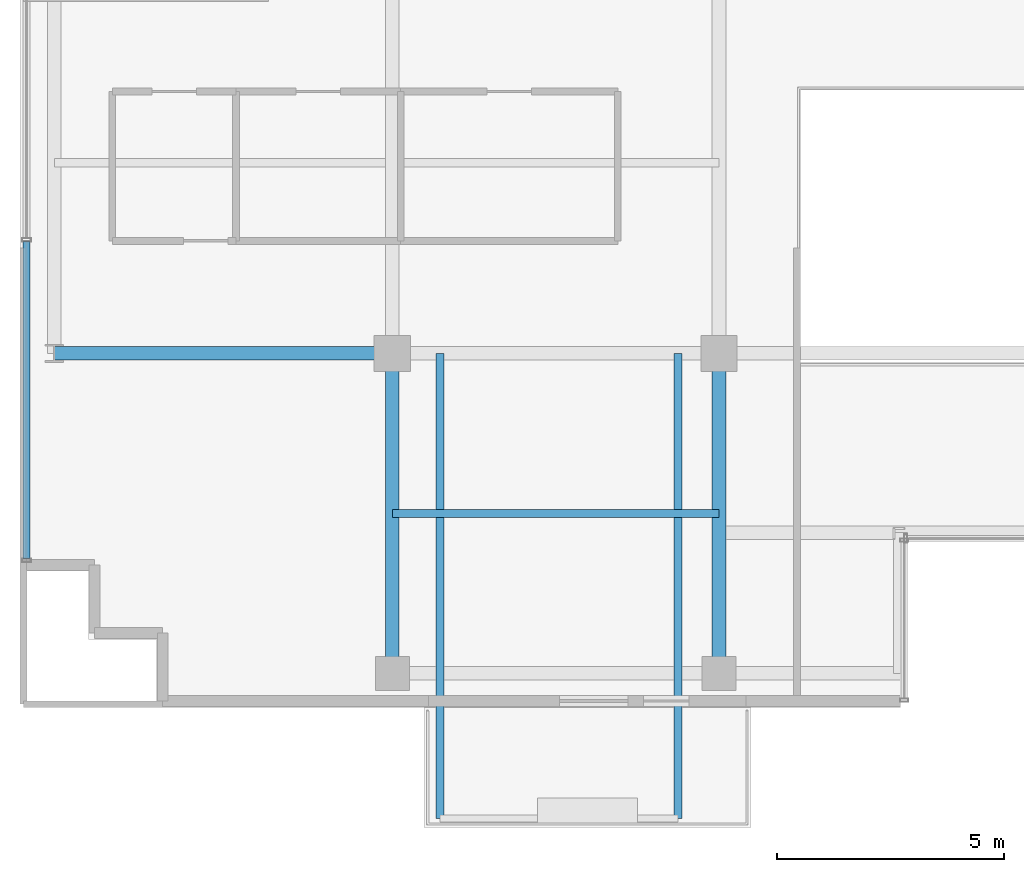
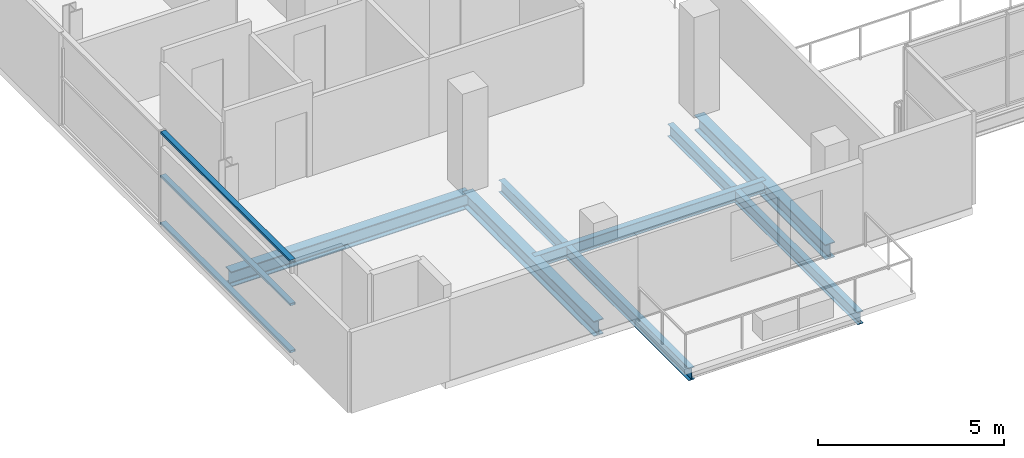
# One storey, part 3 of 21: 6 beams, 3 members, 1 element without a shape of its own.
"""IFC4 building model written with IfcOpenShell, lengths in metres."""

from ifc_helpers import new_model, si_unit, direction, frame, origin, origin_2d, place, context, subcontext, project, spatial, hollow_rectangle, i_section, extrude, source, transform, mapped, material, layer, layer_set, material_profile, profile_set, type_object, element, aggregate, save


model = new_model("IFC4")

# Units and contexts
model_context = context("Model", 3, precision=1e-05, world=origin(), true_north=direction((0.0, 1.0)))
body_context = subcontext(model_context, "Body", "Model", "MODEL_VIEW")
ifc_project = project(units=[si_unit("LENGTHUNIT", "METRE"), si_unit("AREAUNIT", "SQUARE_METRE"), si_unit("VOLUMEUNIT", "CUBIC_METRE"), si_unit("PLANEANGLEUNIT", "RADIAN"), si_unit("MASSUNIT", "GRAM", prefix="KILO")], contexts=[model_context])

# Site, building, storey
site_placement = place(None, origin())
site = spatial("IfcSite", under=ifc_project, at=site_placement, CompositionType="ELEMENT")
building_placement = place(site_placement, origin())
building = spatial("IfcBuilding", under=site, at=building_placement, Name="Zarnakvel Exchange Tower", CompositionType="ELEMENT")
storey_placement = place(building_placement, frame((0.0, 0.0, 189.10009765625)))
storey = spatial("IfcBuildingStorey", under=building, at=storey_placement, Name="L53", CompositionType="ELEMENT", Elevation=189.10009765625)

# Beams
ifc_material_1 = material(Name="Steel S355", Category="steel")
ifc_material_profile_1 = material_profile(ifc_material_1, i_section(OverallWidth=0.179931640625, OverallDepth=0.39990234375, WebThickness=0.008544921875, FlangeThickness=0.013427734375, FilletRadius=0.02099609375, at=origin_2d()))
ifc_profile_set_1 = profile_set([ifc_material_profile_1], Name="Steel S355")
beam_type_1 = type_object("IfcBeamType", Name="B-06", PredefinedType="JOIST", material=ifc_profile_set_1)
beam_1_placement = place(storey_placement, frame((-14.39990234375, -13.125, -0.425048828125), z_axis=(1.0, 0.0, 0.0), x_axis=(0.0, 1.0, 0.0)))
element("IfcBeam", 1, at=beam_1_placement, inside=storey, type_object=beam_type_1, Name="L53 Composite Floor Secondary Joist", PredefinedType="JOIST", context=body_context, shape_type="SweptSolid", body=[
    extrude(i_section(OverallWidth=0.179931640625, OverallDepth=0.39990234375, WebThickness=0.008544921875, FlangeThickness=0.013427734375, FilletRadius=0.02099609375, at=origin_2d()), origin(), (0.0, 0.0, 1.0), 7.199951171875),
])
for number, where, z_axis, x_axis, name in (
    (2, (-13.35009765625, -9.60009765625, -0.425048828125), (0.0, -1.0, 0.0), (1.0, 0.0, 0.0), "L53 Continuous Back-Spanned Balcony Beam W"),
    (3, (-8.10009765625, -9.60009765625, -0.425048828125), (0.0, -1.0, 0.0), (1.0, 0.0, 0.0), "L53 Continuous Back-Spanned Balcony Beam E"),
):
    element("IfcBeam", number, at=place(storey_placement, frame(where, z_axis=z_axis, x_axis=x_axis)), inside=storey, type_object=beam_type_1, Name=name, PredefinedType="JOIST", context=body_context, shape_type="SweptSolid", body=[
        extrude(i_section(OverallWidth=0.179931640625, OverallDepth=0.39990234375, WebThickness=0.008544921875, FlangeThickness=0.013427734375, FilletRadius=0.02099609375, at=origin_2d()), origin(), (0.0, 0.0, 1.0), 10.25),
    ])
ifc_material_profile_2 = material_profile(ifc_material_1, i_section(OverallWidth=0.300048828125, OverallDepth=0.5, WebThickness=0.014404296875, FlangeThickness=0.028076171875, FilletRadius=0.027099609375, at=origin_2d()))
ifc_profile_set_2 = profile_set([ifc_material_profile_2], Name="Steel S355")
beam_type_2 = type_object("IfcBeamType", Name="G-06", PredefinedType="BEAM", material=ifc_profile_set_2)
beam_2_placement = place(storey_placement, frame((-21.85009765625, -9.60009765625, -0.47509765625), z_axis=(1.0, 0.0, 0.0), x_axis=(0.0, 1.0, 0.0)))
element("IfcBeam", 4, at=beam_2_placement, inside=storey, type_object=beam_type_2, Name="L53 Tower E-W Frame Beam", PredefinedType="BEAM", context=body_context, shape_type="SweptSolid", body=[
    extrude(i_section(OverallWidth=0.300048828125, OverallDepth=0.5, WebThickness=0.014404296875, FlangeThickness=0.028076171875, FilletRadius=0.027099609375, at=origin_2d()), origin(), (0.0, 0.0, 1.0), 7.4501953125),
])
for number, where, z_axis, x_axis, name in (
    (5, (-14.39990234375, -16.64990234375, -0.47509765625), (0.0, 1.0, 0.0), (-1.0, 0.0, 0.0), "L53 Tower N-S Frame Beam"),
    (6, (-7.199951171875, -16.64990234375, -0.47509765625), (0.0, 1.0, 0.0), (-1.0, 0.0, 0.0), "L53 Tower N-S Frame Beam"),
):
    element("IfcBeam", number, at=place(storey_placement, frame(where, z_axis=z_axis, x_axis=x_axis)), inside=storey, type_object=beam_type_2, Name=name, PredefinedType="BEAM", context=body_context, shape_type="SweptSolid", body=[
        extrude(i_section(OverallWidth=0.300048828125, OverallDepth=0.5, WebThickness=0.014404296875, FlangeThickness=0.028076171875, FilletRadius=0.027099609375, at=origin_2d()), origin(), (0.0, 0.0, 1.0), 7.0498046875),
    ])

# Curtain wall, members
ifc_material_2 = material(Name="Architectural Bronze Anodised Aluminium", Category="aluminium")
ifc_layer = layer(ifc_material_2, 0.199951171875)
ifc_layer_set = layer_set([ifc_layer], Name="Architectural Bronze Anodised Aluminium")
curtain_wall_type = type_object("IfcCurtainWallType", Name="CW-04", PredefinedType="NOTDEFINED", material=ifc_layer_set)
curtain_wall_placement = place(storey_placement, origin())
curtain_wall = element("IfcCurtainWall", 7, at=curtain_wall_placement, inside=storey, type_object=curtain_wall_type, Name="L53 Curtain Wall CW-L53-W1 (CW-04)", PredefinedType="NOTDEFINED")
ifc_material_profile_3 = material_profile(ifc_material_2, hollow_rectangle(XDim=0.159912109375, YDim=0.074951171875, WallThickness=0.00390625, at=origin_2d()))
ifc_profile_set_3 = profile_set([ifc_material_profile_3], Name="Architectural Bronze Anodised Aluminium")
member_type = type_object("IfcMemberType", Name="CWT-04", PredefinedType="USERDEFINED", material=ifc_profile_set_3)
shared_shape = source(origin(), body_context, "Body", "SweptSolid", [
    extrude(hollow_rectangle(XDim=0.159912109375, YDim=0.074951171875, WallThickness=0.00390625, at=origin_2d()), origin(), (0.0, 0.0, 1.0), 6.987548828125),
])
member_1_placement = place(storey_placement, frame((-22.4599609375, -14.125, 0.037353515625), z_axis=(0.0, 1.0, 0.0), x_axis=(-1.0, 0.0, 0.0)))
member_1 = element("IfcMember", 8, at=member_1_placement, type_object=member_type, Name="CW-04 transom 1.1", ObjectType="TRANSOM", PredefinedType="USERDEFINED", context=body_context, shape_type="MappedRepresentation", body=[
    mapped(shared_shape, transform((0.0, 0.0, 0.0), x_axis=(1.0, 0.0, 0.0), y_axis=(0.0, 1.0, 0.0), z_axis=(0.0, 0.0, 1.0), scale=1.0)),
])
member_2_placement = place(storey_placement, frame((-22.4599609375, -14.125, 1.588623046875), z_axis=(0.0, 1.0, 0.0), x_axis=(-1.0, 0.0, 0.0)))
member_2 = element("IfcMember", 9, at=member_2_placement, type_object=member_type, Name="CW-04 transom 1.2", ObjectType="TRANSOM", PredefinedType="USERDEFINED", context=body_context, shape_type="MappedRepresentation", body=[
    mapped(shared_shape, transform((0.0, 0.0, 0.0), x_axis=(1.0, 0.0, 0.0), y_axis=(0.0, 1.0, 0.0), z_axis=(0.0, 0.0, 1.0), scale=1.0)),
])
member_3_placement = place(storey_placement, frame((-22.4599609375, -14.125, 3.017333984375), z_axis=(0.0, 1.0, 0.0), x_axis=(-1.0, 0.0, 0.0)))
member_3 = element("IfcMember", 10, at=member_3_placement, type_object=member_type, Name="CW-04 transom 1.3", ObjectType="TRANSOM", PredefinedType="USERDEFINED", context=body_context, shape_type="MappedRepresentation", body=[
    mapped(shared_shape, transform((0.0, 0.0, 0.0), x_axis=(1.0, 0.0, 0.0), y_axis=(0.0, 1.0, 0.0), z_axis=(0.0, 0.0, 1.0), scale=1.0)),
])
aggregate(curtain_wall, [member_1, member_2, member_3])

save(model, "model.ifc")
